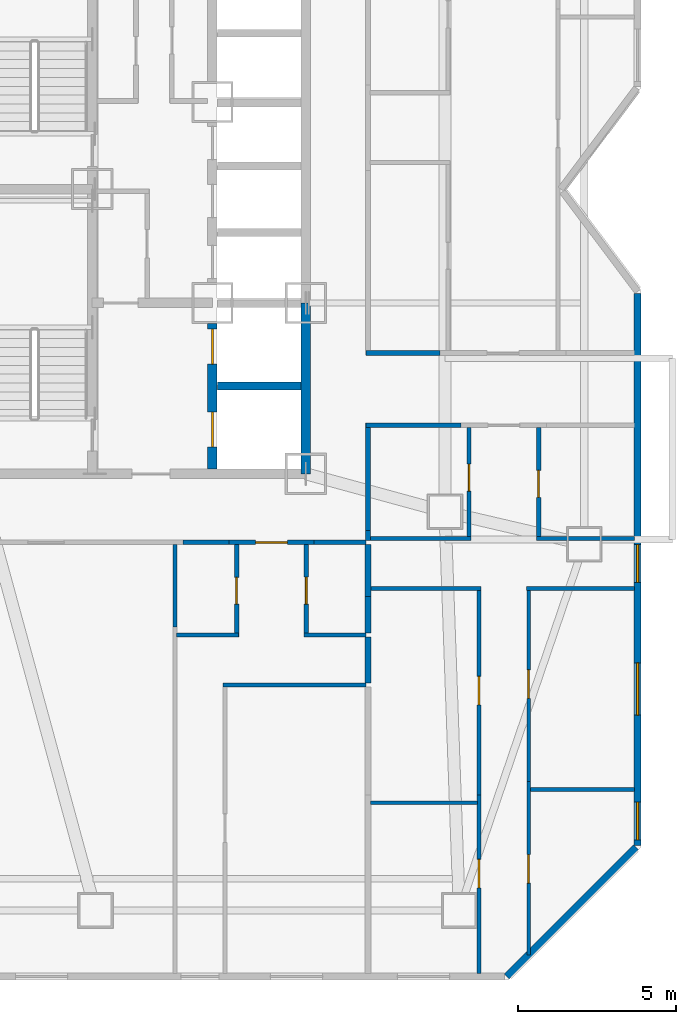
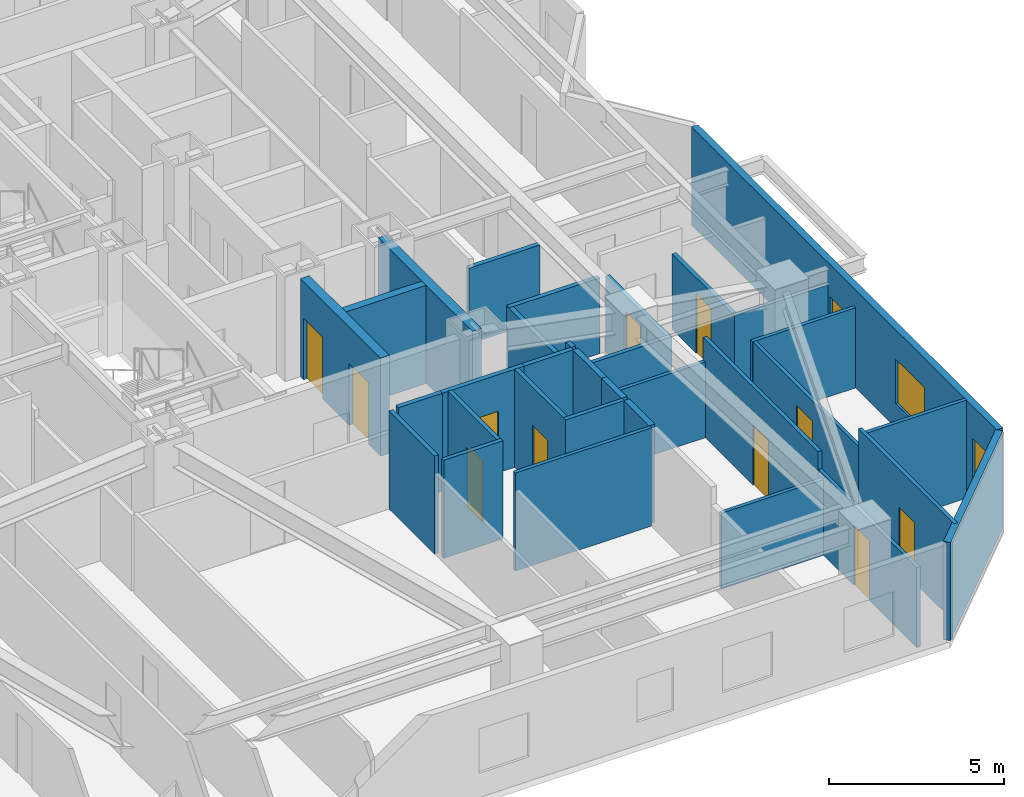
# One storey, part 10 of 17: 33 walls, 11 doors, 3 windows, 14 openings.
"""IFC4 building model written with IfcOpenShell, lengths in metres."""

from ifc_helpers import new_model, si_unit, direction, frame, frame_2d, origin, place, context, subcontext, project, spatial, rectangle, extrude, material, layer, layer_set, type_object, element, fill, save


model = new_model("IFC4")

# Units and contexts
model_context = context("Model", 3, precision=1e-05, world=origin(), true_north=direction((0.0, 1.0)))
body_context = subcontext(model_context, "Body", "Model", "MODEL_VIEW")
ifc_project = project(units=[si_unit("LENGTHUNIT", "METRE"), si_unit("AREAUNIT", "SQUARE_METRE"), si_unit("VOLUMEUNIT", "CUBIC_METRE"), si_unit("PLANEANGLEUNIT", "RADIAN"), si_unit("MASSUNIT", "GRAM", prefix="KILO")], contexts=[model_context])

# Site, building, storey
site_placement = place(None, origin())
site = spatial("IfcSite", under=ifc_project, at=site_placement, CompositionType="ELEMENT")
building_placement = place(site_placement, origin())
building = spatial("IfcBuilding", under=site, at=building_placement, Name="Khamvora Tower", CompositionType="ELEMENT")
storey_placement = place(building_placement, frame((0.0, 0.0, 73.449951171875)))
storey = spatial("IfcBuildingStorey", under=building, at=storey_placement, Name="L18", CompositionType="ELEMENT", Elevation=73.449951171875)

# Wall
ifc_material_1 = material(Name="Concrete C50/60", Category="concrete")
ifc_layer_1 = layer(ifc_material_1, 0.300048828125)
ifc_layer_set_1 = layer_set([ifc_layer_1], Name="Concrete C50/60")
wall_type_1 = type_object("IfcWallType", Name="WAL-CORE-300", PredefinedType="SHEAR", material=ifc_layer_set_1)
wall_1_placement = place(storey_placement, frame((39.39990234375, 19.0, 0.0), z_axis=(0.0, 0.0, 1.0), x_axis=(0.0, 1.0, 0.0)))
element("IfcWall", 1, at=wall_1_placement, inside=storey, type_object=wall_type_1, Name="L18 central core east south wall", PredefinedType="SHEAR", context=body_context, shape_type="SweptSolid", body=[
    extrude(rectangle(XDim=5.39990234375, YDim=0.300048828125, at=frame_2d((2.699951171875, 0.0))), origin(), (0.0, 0.0, 1.0), 3.429931640625),
])

# Wall, openings, doors
wall_2_placement = place(storey_placement, frame((36.449951171875, 19.154052734375, 0.0), z_axis=(0.0, 0.0, 1.0), x_axis=(0.0, 1.0, 0.0)))
wall_2 = element("IfcWall", 2, at=wall_2_placement, inside=storey, type_object=wall_type_1, Name="L18 central core lift bank south wall", PredefinedType="SHEAR", context=body_context, shape_type="SweptSolid", body=[
    extrude(rectangle(XDim=4.595947265625, YDim=0.300048828125, at=frame_2d((2.2978515625, 0.0))), origin(), (0.0, 0.0, 1.0), 3.429931640625),
])
opening_1_placement = place(wall_2_placement, frame((0.696044921875, 0.0, 0.0)))
opening_1 = element("IfcOpeningElement", 3, at=opening_1_placement, cuts=wall_2, Name="Opening LD-FFL", PredefinedType="OPENING", context=body_context, shape_type="SweptSolid", body=[
    extrude(rectangle(XDim=1.10009765625, YDim=2.14990234375, at=frame_2d((0.550048828125, 1.074951171875))), frame((0.0, 0.159912109375, 0.0), z_axis=(0.0, -1.0, 0.0), x_axis=(1.0, 0.0, 0.0)), (0.0, 0.0, 1.0), 0.320068359375),
])
opening_2_placement = place(wall_2_placement, frame((3.31591796875, 0.0, 0.0)))
opening_2 = element("IfcOpeningElement", 4, at=opening_2_placement, cuts=wall_2, Name="Opening LD-FFL", PredefinedType="OPENING", context=body_context, shape_type="SweptSolid", body=[
    extrude(rectangle(XDim=1.10009765625, YDim=2.14990234375, at=frame_2d((0.550048828125, 1.074951171875))), frame((0.0, 0.159912109375, 0.0), z_axis=(0.0, -1.0, 0.0), x_axis=(1.0, 0.0, 0.0)), (0.0, 0.0, 1.0), 0.320068359375),
])
ifc_material_2 = material(Name="Powder-Coated Steel and Hardwood Leaf", Category="steel")
door_type_1 = type_object("IfcDoorType", Name="DOR-LIFT-1100", OperationType="SLIDING_TO_LEFT", PredefinedType="DOOR", material=ifc_material_2)
door_1_placement = place(opening_1_placement, origin())
door_1 = element("IfcDoor", 5, at=door_1_placement, inside=storey, type_object=door_type_1, Name="L18 lift landing sliding door FFL-01", OperationType="SLIDING_TO_LEFT", OverallHeight=2.14990234375, OverallWidth=1.10009765625, PredefinedType="DOOR", context=body_context, shape_type="SweptSolid", body=[
    extrude(rectangle(XDim=1.10009765625, YDim=2.14990234375, at=frame_2d((0.550048828125, 1.074951171875))), frame((0.0, 0.02490234375, 0.0), z_axis=(0.0, -1.0, 0.0), x_axis=(1.0, 0.0, 0.0)), (0.0, 0.0, 1.0), 0.050048828125),
])
fill(opening_1, door_1)
door_2_placement = place(opening_2_placement, origin())
door_2 = element("IfcDoor", 6, at=door_2_placement, inside=storey, type_object=door_type_1, Name="L18 lift landing sliding door FFL-02", OperationType="SLIDING_TO_LEFT", OverallHeight=2.14990234375, OverallWidth=1.10009765625, PredefinedType="DOOR", context=body_context, shape_type="SweptSolid", body=[
    extrude(rectangle(XDim=1.10009765625, YDim=2.14990234375, at=frame_2d((0.550048828125, 1.074951171875))), frame((0.0, 0.02490234375, 0.0), z_axis=(0.0, -1.0, 0.0), x_axis=(1.0, 0.0, 0.0)), (0.0, 0.0, 1.0), 0.050048828125),
])
fill(opening_2, door_2)

# Wall, opening, door
ifc_material_3 = material(Name="Fire-Rated Drywall and Steel Stud", Category="steel")
ifc_layer_2 = layer(ifc_material_3, 0.14990234375)
ifc_layer_set_2 = layer_set([ifc_layer_2], Name="Fire-Rated Drywall and Steel Stud")
wall_type_2 = type_object("IfcWallType", Name="WAL-CORR-150", PredefinedType="STANDARD", material=ifc_layer_set_2)
wall_3_placement = place(storey_placement, frame((39.6640625, 16.8349609375, 0.0), z_axis=(0.0, 0.0, 1.0), x_axis=(-1.0, 0.0, 0.0)))
wall_3 = element("IfcWall", 7, at=wall_3_placement, inside=storey, type_object=wall_type_2, Name="L18 interior partition wall 029", PredefinedType="STANDARD", context=body_context, shape_type="SweptSolid", body=[
    extrude(rectangle(XDim=2.697998046875, YDim=0.14990234375, at=frame_2d((1.34912109375, 0.0))), origin(), (0.0, 0.0, 1.0), 3.429931640625),
])
opening_3_placement = place(wall_3_placement, frame((0.84912109375, 0.0, 0.0)))
opening_3 = element("IfcOpeningElement", 8, at=opening_3_placement, cuts=wall_3, Name="Opening D-U1", PredefinedType="OPENING", context=body_context, shape_type="SweptSolid", body=[
    extrude(rectangle(XDim=1.0, YDim=2.14990234375, at=frame_2d((0.5, 1.074951171875))), frame((0.0, 0.0849609375, 0.0), z_axis=(0.0, -1.0, 0.0), x_axis=(1.0, 0.0, 0.0)), (0.0, 0.0, 1.0), 0.169921875),
])
door_type_2 = type_object("IfcDoorType", Name="DOR-UNIT-1000", OperationType="NOTDEFINED", PredefinedType="DOOR", material=ifc_material_2)
door_3_placement = place(opening_3_placement, origin())
door_3 = element("IfcDoor", 9, at=door_3_placement, inside=storey, type_object=door_type_2, Name="L18 interior door COR-18SAH", OperationType="SINGLE_SWING_LEFT", OverallHeight=2.14990234375, OverallWidth=1.0, PredefinedType="DOOR", context=body_context, shape_type="SweptSolid", body=[
    extrude(rectangle(XDim=1.0, YDim=2.14990234375, at=frame_2d((0.5, 1.074951171875))), frame((0.0, 0.02490234375, 0.0), z_axis=(0.0, -1.0, 0.0), x_axis=(1.0, 0.0, 0.0)), (0.0, 0.0, 1.0), 0.050048828125),
])
fill(opening_3, door_3)

# Walls
wall_4_placement = place(storey_placement, frame((36.966064453125, 16.8349609375, 0.0), z_axis=(0.0, 0.0, 1.0), x_axis=(-1.0, 0.0, 0.0)))
element("IfcWall", 10, at=wall_4_placement, inside=storey, type_object=wall_type_2, Name="L18 interior partition wall 030", PredefinedType="STANDARD", context=body_context, shape_type="SweptSolid", body=[
    extrude(rectangle(XDim=1.4521484375, YDim=0.14990234375, at=frame_2d((0.72607421875, 0.0))), origin(), (0.0, 0.0, 1.0), 3.429931640625),
])
wall_5_placement = place(storey_placement, frame((41.300048828125, 16.8349609375, 0.0), z_axis=(0.0, 0.0, 1.0), x_axis=(-1.0, 0.0, 0.0)))
element("IfcWall", 11, at=wall_5_placement, inside=storey, type_object=wall_type_2, Name="L18 interior partition wall 031", PredefinedType="STANDARD", context=body_context, shape_type="SweptSolid", body=[
    extrude(rectangle(XDim=1.635986328125, YDim=0.14990234375, at=frame_2d((0.81787109375, 0.0))), origin(), (0.0, 0.0, 1.0), 3.429931640625),
])
wall_6_placement = place(storey_placement, frame((41.364990234375, 17.2041015625, 0.0), z_axis=(0.0, 0.0, 1.0), x_axis=(0.0, -1.0, 0.0)))
element("IfcWall", 12, at=wall_6_placement, inside=storey, type_object=wall_type_2, Name="L18 interior partition wall 036", PredefinedType="STANDARD", context=body_context, shape_type="SweptSolid", body=[
    extrude(rectangle(XDim=0.30419921875, YDim=0.14990234375, at=frame_2d((0.152099609375, 0.0))), origin(), (0.0, 0.0, 1.0), 3.429931640625),
])
wall_7_placement = place(storey_placement, frame((44.31103515625, 20.534912109375, 0.0), z_axis=(0.0, 0.0, 1.0), x_axis=(-1.0, 0.0, 0.0)))
element("IfcWall", 13, at=wall_7_placement, inside=storey, type_object=wall_type_2, Name="L18 interior partition wall 037", PredefinedType="STANDARD", context=body_context, shape_type="SweptSolid", body=[
    extrude(rectangle(XDim=3.010986328125, YDim=0.14990234375, at=frame_2d((1.50537109375, 0.0))), origin(), (0.0, 0.0, 1.0), 2.64697265625),
])
wall_8_placement = place(storey_placement, frame((41.364990234375, 20.60009765625, 0.0), z_axis=(0.0, 0.0, 1.0), x_axis=(0.0, -1.0, 0.0)))
element("IfcWall", 14, at=wall_8_placement, inside=storey, type_object=wall_type_2, Name="L18 interior partition wall 038", PredefinedType="STANDARD", context=body_context, shape_type="SweptSolid", body=[
    extrude(rectangle(XDim=3.39599609375, YDim=0.14990234375, at=frame_2d((1.697998046875, 0.0))), origin(), (0.0, 0.0, 1.0), 2.64697265625),
])
wall_9_placement = place(storey_placement, frame((41.300048828125, 22.81494140625, 0.0), z_axis=(0.0, 0.0, 1.0), x_axis=(1.0, 0.0, 0.0)))
element("IfcWall", 15, at=wall_9_placement, inside=storey, type_object=wall_type_2, Name="L18 interior partition wall 045", PredefinedType="STANDARD", context=body_context, shape_type="SweptSolid", body=[
    extrude(rectangle(XDim=2.345947265625, YDim=0.14990234375, at=frame_2d((1.1728515625, 0.0))), origin(), (0.0, 0.0, 1.0), 2.64697265625),
])
ifc_material_4 = material(Name="Acoustic Double-Stud Fire Wall", Category="gypsum")
ifc_layer_3 = layer(ifc_material_4, 0.179931640625)
ifc_layer_set_3 = layer_set([ifc_layer_3], Name="Acoustic Double-Stud Fire Wall")
wall_type_3 = type_object("IfcWallType", Name="WAL-CORR-180", PredefinedType="STANDARD", material=ifc_layer_set_3)
wall_10_placement = place(storey_placement, frame((41.364990234375, 13.841064453125, 0.0), z_axis=(0.0, 0.0, 1.0), x_axis=(0.0, -1.0, 0.0)))
element("IfcWall", 16, at=wall_10_placement, inside=storey, type_object=wall_type_3, Name="L18 interior partition wall 133", PredefinedType="STANDARD", context=body_context, shape_type="SweptSolid", body=[
    extrude(rectangle(XDim=1.449951171875, YDim=0.179931640625, at=frame_2d((0.72509765625, 0.0))), origin(), (0.0, 0.0, 1.0), 3.429931640625),
])
wall_11_placement = place(storey_placement, frame((41.364990234375, 16.77001953125, 0.0), z_axis=(0.0, 0.0, 1.0), x_axis=(0.0, -1.0, 0.0)))
element("IfcWall", 17, at=wall_11_placement, inside=storey, type_object=wall_type_3, Name="L18 interior partition wall 134", PredefinedType="STANDARD", context=body_context, shape_type="SweptSolid", body=[
    extrude(rectangle(XDim=1.64404296875, YDim=0.179931640625, at=frame_2d((0.822021484375, 0.0))), origin(), (0.0, 0.0, 1.0), 3.429931640625),
])
wall_12_placement = place(storey_placement, frame((41.364990234375, 15.1259765625, 0.0), z_axis=(0.0, 0.0, 1.0), x_axis=(0.0, -1.0, 0.0)))
element("IfcWall", 18, at=wall_12_placement, inside=storey, type_object=wall_type_3, Name="L18 interior partition wall 135", PredefinedType="STANDARD", context=body_context, shape_type="SweptSolid", body=[
    extrude(rectangle(XDim=1.155029296875, YDim=0.179931640625, at=frame_2d((0.57763671875, 0.0))), origin(), (0.0, 0.0, 1.0), 3.429931640625),
])

# Wall, openings, windows
ifc_material_5 = material(Name="Precast concrete C40/50", Category="concrete")
ifc_layer_4 = layer(ifc_material_5, 0.219970703125)
ifc_layer_set_4 = layer_set([ifc_layer_4], Name="Precast concrete C40/50")
wall_type_4 = type_object("IfcWallType", Name="WAL-EXT-220", PredefinedType="STANDARD", material=ifc_layer_set_4)
wall_13_placement = place(storey_placement, frame((49.889892578125, 24.70703125, 0.0), z_axis=(0.0, 0.0, 1.0), x_axis=(0.0, -1.0, 0.0)))
wall_13 = element("IfcWall", 19, at=wall_13_placement, inside=storey, type_object=wall_type_4, Name="L18 exterior facade wall 12.1", PredefinedType="STANDARD", context=body_context, shape_type="SweptSolid", body=[
    extrude(rectangle(XDim=17.4609375, YDim=0.219970703125, at=frame_2d((8.73046875, 0.0))), origin(), (0.0, 0.0, 1.0), 3.429931640625),
])
opening_4_placement = place(wall_13_placement, frame((7.94189453125, 0.0, 0.800048828125)))
opening_4 = element("IfcOpeningElement", 20, at=opening_4_placement, cuts=wall_13, Name="Opening WN-03", PredefinedType="OPENING", context=body_context, shape_type="SweptSolid", body=[
    extrude(rectangle(XDim=1.199951171875, YDim=1.5, at=frame_2d((0.60009765625, 0.75))), frame((0.0, 0.119873046875, 0.0), z_axis=(0.0, -1.0, 0.0), x_axis=(1.0, 0.0, 0.0)), (0.0, 0.0, 1.0), 0.239990234375),
])
opening_5_placement = place(wall_13_placement, frame((16.0810546875, 0.0, 0.800048828125)))
opening_5 = element("IfcOpeningElement", 21, at=opening_5_placement, cuts=wall_13, Name="Opening WN-03", PredefinedType="OPENING", context=body_context, shape_type="SweptSolid", body=[
    extrude(rectangle(XDim=1.199951171875, YDim=1.5, at=frame_2d((0.60009765625, 0.75))), frame((0.0, 0.119873046875, 0.0), z_axis=(0.0, -1.0, 0.0), x_axis=(1.0, 0.0, 0.0)), (0.0, 0.0, 1.0), 0.239990234375),
])
opening_6_placement = place(wall_13_placement, frame((11.68408203125, 0.0, 0.85009765625)))
opening_6 = element("IfcOpeningElement", 22, at=opening_6_placement, cuts=wall_13, Name="Opening WN-06", PredefinedType="OPENING", context=body_context, shape_type="SweptSolid", body=[
    extrude(rectangle(XDim=1.64990234375, YDim=1.550048828125, at=frame_2d((0.824951171875, 0.77490234375))), frame((0.0, 0.119873046875, 0.0), z_axis=(0.0, -1.0, 0.0), x_axis=(1.0, 0.0, 0.0)), (0.0, 0.0, 1.0), 0.239990234375),
])
ifc_material_6 = material(Name="Low-E Laminated Double Glazing", Category="glass")
window_type_1 = type_object("IfcWindowType", Name="WIN-VIS-1200x1500", PartitioningType="SINGLE_PANEL", PredefinedType="WINDOW", material=ifc_material_6)
window_1_placement = place(opening_4_placement, origin())
window_1 = element("IfcWindow", 23, at=window_1_placement, inside=storey, type_object=window_type_1, Name="L18 vision window 12.1.01", OverallHeight=1.5, OverallWidth=1.199951171875, PartitioningType="SINGLE_PANEL", PredefinedType="WINDOW", context=body_context, shape_type="SweptSolid", body=[
    extrude(rectangle(XDim=1.199951171875, YDim=1.5, at=frame_2d((0.60009765625, 0.75))), frame((0.0, 0.030029296875, 0.0), z_axis=(0.0, -1.0, 0.0), x_axis=(1.0, 0.0, 0.0)), (0.0, 0.0, 1.0), 0.06005859375),
])
fill(opening_4, window_1)
window_2_placement = place(opening_5_placement, origin())
window_2 = element("IfcWindow", 24, at=window_2_placement, inside=storey, type_object=window_type_1, Name="L18 vision window 12.1.02", OverallHeight=1.5, OverallWidth=1.199951171875, PartitioningType="SINGLE_PANEL", PredefinedType="WINDOW", context=body_context, shape_type="SweptSolid", body=[
    extrude(rectangle(XDim=1.199951171875, YDim=1.5, at=frame_2d((0.60009765625, 0.75))), frame((0.0, 0.030029296875, 0.0), z_axis=(0.0, -1.0, 0.0), x_axis=(1.0, 0.0, 0.0)), (0.0, 0.0, 1.0), 0.06005859375),
])
fill(opening_5, window_2)
window_type_2 = type_object("IfcWindowType", Name="WIN-VIS-1650x1550", PartitioningType="SINGLE_PANEL", PredefinedType="WINDOW", material=ifc_material_6)
window_3_placement = place(opening_6_placement, origin())
window_3 = element("IfcWindow", 25, at=window_3_placement, inside=storey, type_object=window_type_2, Name="L18 vision window 12.1.03", OverallHeight=1.550048828125, OverallWidth=1.64990234375, PartitioningType="SINGLE_PANEL", PredefinedType="WINDOW", context=body_context, shape_type="SweptSolid", body=[
    extrude(rectangle(XDim=1.64990234375, YDim=1.550048828125, at=frame_2d((0.824951171875, 0.77490234375))), frame((0.0, 0.030029296875, 0.0), z_axis=(0.0, -1.0, 0.0), x_axis=(1.0, 0.0, 0.0)), (0.0, 0.0, 1.0), 0.06005859375),
])
fill(opening_6, window_3)

# Walls
wall_14_placement = place(storey_placement, frame((49.840087890625, 7.196044921875, 0.0), z_axis=(0.0, 0.0, 1.0), x_axis=(-0.707127905562, -0.70708565618, 0.0)))
element("IfcWall", 26, at=wall_14_placement, inside=storey, type_object=wall_type_4, Name="L18 exterior facade wall 13.1", PredefinedType="STANDARD", context=body_context, shape_type="SweptSolid", body=[
    extrude(rectangle(XDim=5.778564453125, YDim=0.219970703125, at=frame_2d((2.88916015625, 0.0))), origin(), (0.0, 0.0, 1.0), 3.429931640625),
])
ifc_material_7 = material(Name="Gypsum Plasterboard Partition", Category="gypsum")
ifc_layer_5 = layer(ifc_material_7, 0.1201171875)
ifc_layer_set_5 = layer_set([ifc_layer_5], Name="Gypsum Plasterboard Partition")
wall_type_5 = type_object("IfcWallType", Name="WAL-PART-120", PredefinedType="PARTITIONING", material=ifc_layer_set_5)
wall_15_placement = place(storey_placement, frame((41.300048828125, 12.325927734375, 0.0), z_axis=(0.0, 0.0, 1.0), x_axis=(-1.0, 0.0, 0.0)))
element("IfcWall", 27, at=wall_15_placement, inside=storey, type_object=wall_type_5, Name="L18 interior partition wall 131", PredefinedType="PARTITIONING", context=body_context, shape_type="SweptSolid", body=[
    extrude(rectangle(XDim=4.52001953125, YDim=0.1201171875, at=frame_2d((2.260009765625, 0.0))), origin(), (0.0, 0.0, 1.0), 3.429931640625),
])

# Wall, opening, door
wall_16_placement = place(storey_placement, frame((44.875, 3.2119140625, 0.0), z_axis=(0.0, 0.0, 1.0), x_axis=(0.0, 1.0, 0.0)))
wall_16 = element("IfcWall", 28, at=wall_16_placement, inside=storey, type_object=wall_type_5, Name="L18 interior partition wall 153", PredefinedType="PARTITIONING", context=body_context, shape_type="SweptSolid", body=[
    extrude(rectangle(XDim=5.64306640625, YDim=0.1201171875, at=frame_2d((2.821533203125, 0.0))), origin(), (0.0, 0.0, 1.0), 2.802978515625),
])
opening_7_placement = place(wall_16_placement, frame((2.701904296875, 0.0, 0.0)))
opening_7 = element("IfcOpeningElement", 29, at=opening_7_placement, cuts=wall_16, Name="Opening D-RM1", PredefinedType="OPENING", context=body_context, shape_type="SweptSolid", body=[
    extrude(rectangle(XDim=0.89990234375, YDim=2.10009765625, at=frame_2d((0.449951171875, 1.050048828125))), frame((0.0, 0.070068359375, 0.0), z_axis=(0.0, -1.0, 0.0), x_axis=(1.0, 0.0, 0.0)), (0.0, 0.0, 1.0), 0.14013671875),
])
door_type_3 = type_object("IfcDoorType", Name="DOR-ROOM-900", OperationType="NOTDEFINED", PredefinedType="DOOR", material=ifc_material_2)
door_4_placement = place(opening_7_placement, origin())
door_4 = element("IfcDoor", 30, at=door_4_placement, inside=storey, type_object=door_type_3, Name="L18 interior door 18EAH-18EAL", OperationType="SINGLE_SWING_RIGHT", OverallHeight=2.10009765625, OverallWidth=0.89990234375, PredefinedType="DOOR", context=body_context, shape_type="SweptSolid", body=[
    extrude(rectangle(XDim=0.89990234375, YDim=2.10009765625, at=frame_2d((0.449951171875, 1.050048828125))), frame((0.0, 0.02490234375, 0.0), z_axis=(0.0, -1.0, 0.0), x_axis=(1.0, 0.0, 0.0)), (0.0, 0.0, 1.0), 0.050048828125),
])
fill(opening_7, door_4)

wall_17_placement = place(storey_placement, frame((44.875, 8.85498046875, 0.0), z_axis=(0.0, 0.0, 1.0), x_axis=(0.0, 1.0, 0.0)))
wall_17 = element("IfcWall", 31, at=wall_17_placement, inside=storey, type_object=wall_type_5, Name="L18 interior partition wall 154", PredefinedType="PARTITIONING", context=body_context, shape_type="SweptSolid", body=[
    extrude(rectangle(XDim=6.5849609375, YDim=0.1201171875, at=frame_2d((3.29248046875, 0.0))), origin(), (0.0, 0.0, 1.0), 3.429931640625),
])
opening_8_placement = place(wall_17_placement, frame((2.842041015625, 0.0, 0.0)))
opening_8 = element("IfcOpeningElement", 32, at=opening_8_placement, cuts=wall_17, Name="Opening D-RM1", PredefinedType="OPENING", context=body_context, shape_type="SweptSolid", body=[
    extrude(rectangle(XDim=0.89990234375, YDim=2.10009765625, at=frame_2d((0.449951171875, 1.050048828125))), frame((0.0, 0.070068359375, 0.0), z_axis=(0.0, -1.0, 0.0), x_axis=(1.0, 0.0, 0.0)), (0.0, 0.0, 1.0), 0.14013671875),
])
door_5_placement = place(opening_8_placement, origin())
door_5 = element("IfcDoor", 33, at=door_5_placement, inside=storey, type_object=door_type_3, Name="L18 interior door 18EAH-18EAR2", OperationType="SINGLE_SWING_LEFT", OverallHeight=2.10009765625, OverallWidth=0.89990234375, PredefinedType="DOOR", context=body_context, shape_type="SweptSolid", body=[
    extrude(rectangle(XDim=0.89990234375, YDim=2.10009765625, at=frame_2d((0.449951171875, 1.050048828125))), frame((0.0, 0.02490234375, 0.0), z_axis=(0.0, -1.0, 0.0), x_axis=(1.0, 0.0, 0.0)), (0.0, 0.0, 1.0), 0.050048828125),
])
fill(opening_8, door_5)

# Wall
wall_18_placement = place(storey_placement, frame((44.93994140625, 15.375, 0.0), z_axis=(0.0, 0.0, 1.0), x_axis=(-1.0, 0.0, 0.0)))
element("IfcWall", 34, at=wall_18_placement, inside=storey, type_object=wall_type_5, Name="L18 interior partition wall 155", PredefinedType="PARTITIONING", context=body_context, shape_type="SweptSolid", body=[
    extrude(rectangle(XDim=3.492919921875, YDim=0.1201171875, at=frame_2d((1.74658203125, 0.0))), origin(), (0.0, 0.0, 1.0), 2.64697265625),
])

# Wall, opening, door
wall_19_placement = place(storey_placement, frame((46.445068359375, 9.27001953125, 0.0), z_axis=(0.0, 0.0, 1.0), x_axis=(0.0, -1.0, 0.0)))
wall_19 = element("IfcWall", 35, at=wall_19_placement, inside=storey, type_object=wall_type_5, Name="L18 interior partition wall 156", PredefinedType="PARTITIONING", context=body_context, shape_type="SweptSolid", body=[
    extrude(rectangle(XDim=5.47802734375, YDim=0.1201171875, at=frame_2d((2.739013671875, 0.0))), origin(), (0.0, 0.0, 1.0), 3.429931640625),
])
opening_9_placement = place(wall_19_placement, frame((2.31005859375, 0.0, 0.0)))
opening_9 = element("IfcOpeningElement", 36, at=opening_9_placement, cuts=wall_19, Name="Opening D-RM1", PredefinedType="OPENING", context=body_context, shape_type="SweptSolid", body=[
    extrude(rectangle(XDim=0.89990234375, YDim=2.10009765625, at=frame_2d((0.449951171875, 1.050048828125))), frame((0.0, 0.070068359375, 0.0), z_axis=(0.0, -1.0, 0.0), x_axis=(1.0, 0.0, 0.0)), (0.0, 0.0, 1.0), 0.14013671875),
])
door_6_placement = place(opening_9_placement, origin())
door_6 = element("IfcDoor", 37, at=door_6_placement, inside=storey, type_object=door_type_3, Name="L18 interior door 18EAH-18EAR3", OperationType="SINGLE_SWING_RIGHT", OverallHeight=2.10009765625, OverallWidth=0.89990234375, PredefinedType="DOOR", context=body_context, shape_type="SweptSolid", body=[
    extrude(rectangle(XDim=0.89990234375, YDim=2.10009765625, at=frame_2d((0.449951171875, 1.050048828125))), frame((0.0, 0.02490234375, 0.0), z_axis=(0.0, -1.0, 0.0), x_axis=(1.0, 0.0, 0.0)), (0.0, 0.0, 1.0), 0.050048828125),
])
fill(opening_9, door_6)

# Wall
wall_20_placement = place(storey_placement, frame((49.7880859375, 15.375, 0.0), z_axis=(0.0, 0.0, 1.0), x_axis=(-1.0, 0.0, 0.0)))
element("IfcWall", 38, at=wall_20_placement, inside=storey, type_object=wall_type_5, Name="L18 interior partition wall 157", PredefinedType="PARTITIONING", context=body_context, shape_type="SweptSolid", body=[
    extrude(rectangle(XDim=3.408203125, YDim=0.1201171875, at=frame_2d((1.7041015625, 0.0))), origin(), (0.0, 0.0, 1.0), 2.802978515625),
])

# Wall, opening, door
wall_21_placement = place(storey_placement, frame((46.445068359375, 15.43994140625, 0.0), z_axis=(0.0, 0.0, 1.0), x_axis=(0.0, -1.0, 0.0)))
wall_21 = element("IfcWall", 39, at=wall_21_placement, inside=storey, type_object=wall_type_5, Name="L18 interior partition wall 158", PredefinedType="PARTITIONING", context=body_context, shape_type="SweptSolid", body=[
    extrude(rectangle(XDim=6.169921875, YDim=0.1201171875, at=frame_2d((3.0849609375, 0.0))), origin(), (0.0, 0.0, 1.0), 2.802978515625),
])
opening_10_placement = place(wall_21_placement, frame((2.635009765625, 0.0, 0.0)))
opening_10 = element("IfcOpeningElement", 40, at=opening_10_placement, cuts=wall_21, Name="Opening D-RM1", PredefinedType="OPENING", context=body_context, shape_type="SweptSolid", body=[
    extrude(rectangle(XDim=0.89990234375, YDim=2.10009765625, at=frame_2d((0.449951171875, 1.050048828125))), frame((0.0, 0.070068359375, 0.0), z_axis=(0.0, -1.0, 0.0), x_axis=(1.0, 0.0, 0.0)), (0.0, 0.0, 1.0), 0.14013671875),
])
door_7_placement = place(opening_10_placement, origin())
door_7 = element("IfcDoor", 41, at=door_7_placement, inside=storey, type_object=door_type_3, Name="L18 interior door 18EAH-18EAR4", OperationType="SINGLE_SWING_LEFT", OverallHeight=2.10009765625, OverallWidth=0.89990234375, PredefinedType="DOOR", context=body_context, shape_type="SweptSolid", body=[
    extrude(rectangle(XDim=0.89990234375, YDim=2.10009765625, at=frame_2d((0.449951171875, 1.050048828125))), frame((0.0, 0.02490234375, 0.0), z_axis=(0.0, -1.0, 0.0), x_axis=(1.0, 0.0, 0.0)), (0.0, 0.0, 1.0), 0.050048828125),
])
fill(opening_10, door_7)

# Walls
wall_22_placement = place(storey_placement, frame((41.447021484375, 8.60498046875, 0.0), z_axis=(0.0, 0.0, 1.0), x_axis=(1.0, 0.0, 0.0)))
element("IfcWall", 42, at=wall_22_placement, inside=storey, type_object=wall_type_5, Name="L18 interior partition wall 159", PredefinedType="PARTITIONING", context=body_context, shape_type="SweptSolid", body=[
    extrude(rectangle(XDim=3.3740234375, YDim=0.1201171875, at=frame_2d((1.68701171875, 0.0))), origin(), (0.0, 0.0, 1.0), 2.64697265625),
])
wall_23_placement = place(storey_placement, frame((46.4990234375, 9.02099609375, 0.0), z_axis=(0.0, 0.0, 1.0), x_axis=(1.0, 0.0, 0.0)))
element("IfcWall", 43, at=wall_23_placement, inside=storey, type_object=wall_type_5, Name="L18 interior partition wall 160", PredefinedType="PARTITIONING", context=body_context, shape_type="SweptSolid", body=[
    extrude(rectangle(XDim=3.2890625, YDim=0.1201171875, at=frame_2d((1.64453125, 0.0))), origin(), (0.0, 0.0, 1.0), 3.429931640625),
])
ifc_material_8 = material(Name="Concrete C40/50", Category="concrete")
ifc_layer_6 = layer(ifc_material_8, 0.25)
ifc_layer_set_6 = layer_set([ifc_layer_6], Name="Concrete C40/50")
wall_type_6 = type_object("IfcWallType", Name="WAL-PODS-250", PredefinedType="SHEAR", material=ifc_layer_set_6)
wall_24_placement = place(storey_placement, frame((36.60400390625, 21.77490234375, 0.0), z_axis=(0.0, 0.0, 1.0), x_axis=(1.0, 0.0, 0.0)))
element("IfcWall", 44, at=wall_24_placement, inside=storey, type_object=wall_type_6, Name="L18 lift shaft divider wall FFL-01", PredefinedType="SHEAR", context=body_context, shape_type="SweptSolid", body=[
    extrude(rectangle(XDim=2.64208984375, YDim=0.25, at=frame_2d((1.321044921875, 0.0))), origin(), (0.0, 0.0, 1.0), 3.429931640625),
])
ifc_material_9 = material(Name="Moisture-Resistant Plasterboard Partition", Category="gypsum")
ifc_layer_7 = layer(ifc_material_9, 0.135009765625)
ifc_layer_set_7 = layer_set([ifc_layer_7], Name="Moisture-Resistant Plasterboard Partition")
wall_type_7 = type_object("IfcWallType", Name="WAL-WET-135", PredefinedType="PARTITIONING", material=ifc_layer_set_7)
wall_25_placement = place(storey_placement, frame((35.264892578125, 16.77001953125, 0.0), z_axis=(0.0, 0.0, 1.0), x_axis=(0.0, -1.0, 0.0)))
element("IfcWall", 45, at=wall_25_placement, inside=storey, type_object=wall_type_7, Name="L18 interior partition wall 049", PredefinedType="PARTITIONING", context=body_context, shape_type="SweptSolid", body=[
    extrude(rectangle(XDim=2.614990234375, YDim=0.135009765625, at=frame_2d((1.3076171875, 0.0))), origin(), (0.0, 0.0, 1.0), 3.429931640625),
])
wall_26_placement = place(storey_placement, frame((35.319091796875, 13.906005859375, 0.0), z_axis=(0.0, 0.0, 1.0), x_axis=(1.0, 0.0, 0.0)))
element("IfcWall", 46, at=wall_26_placement, inside=storey, type_object=wall_type_7, Name="L18 interior partition wall 127", PredefinedType="PARTITIONING", context=body_context, shape_type="SweptSolid", body=[
    extrude(rectangle(XDim=1.9609375, YDim=0.135009765625, at=frame_2d((0.98046875, 0.0))), origin(), (0.0, 0.0, 1.0), 3.429931640625),
])

# Wall, opening, door
wall_27_placement = place(storey_placement, frame((37.215087890625, 13.841064453125, 0.0), z_axis=(0.0, 0.0, 1.0), x_axis=(0.0, 1.0, 0.0)))
wall_27 = element("IfcWall", 47, at=wall_27_placement, inside=storey, type_object=wall_type_7, Name="L18 interior partition wall 128", PredefinedType="PARTITIONING", context=body_context, shape_type="SweptSolid", body=[
    extrude(rectangle(XDim=2.928955078125, YDim=0.135009765625, at=frame_2d((1.46435546875, 0.0))), origin(), (0.0, 0.0, 1.0), 3.429931640625),
])
opening_11_placement = place(wall_27_placement, frame((1.0390625, 0.0, 0.0)))
opening_11 = element("IfcOpeningElement", 48, at=opening_11_placement, cuts=wall_27, Name="Opening D-WC1", PredefinedType="OPENING", context=body_context, shape_type="SweptSolid", body=[
    extrude(rectangle(XDim=0.85009765625, YDim=2.10009765625, at=frame_2d((0.425048828125, 1.050048828125))), frame((0.0, 0.077392578125, 0.0), z_axis=(0.0, -1.0, 0.0), x_axis=(1.0, 0.0, 0.0)), (0.0, 0.0, 1.0), 0.155029296875),
])
door_type_4 = type_object("IfcDoorType", Name="DOR-WET-850", OperationType="NOTDEFINED", PredefinedType="DOOR", material=ifc_material_2)
door_8_placement = place(opening_11_placement, origin())
door_8 = element("IfcDoor", 49, at=door_8_placement, inside=storey, type_object=door_type_4, Name="L18 interior door 18SAH-18SAB", OperationType="SINGLE_SWING_LEFT", OverallHeight=2.10009765625, OverallWidth=0.85009765625, PredefinedType="DOOR", context=body_context, shape_type="SweptSolid", body=[
    extrude(rectangle(XDim=0.85009765625, YDim=2.10009765625, at=frame_2d((0.425048828125, 1.050048828125))), frame((0.0, 0.02490234375, 0.0), z_axis=(0.0, -1.0, 0.0), x_axis=(1.0, 0.0, 0.0)), (0.0, 0.0, 1.0), 0.050048828125),
])
fill(opening_11, door_8)

wall_28_placement = place(storey_placement, frame((39.4150390625, 16.77001953125, 0.0), z_axis=(0.0, 0.0, 1.0), x_axis=(0.0, -1.0, 0.0)))
wall_28 = element("IfcWall", 50, at=wall_28_placement, inside=storey, type_object=wall_type_7, Name="L18 interior partition wall 129", PredefinedType="PARTITIONING", context=body_context, shape_type="SweptSolid", body=[
    extrude(rectangle(XDim=2.928955078125, YDim=0.135009765625, at=frame_2d((1.46435546875, 0.0))), origin(), (0.0, 0.0, 1.0), 3.429931640625),
])
opening_12_placement = place(wall_28_placement, frame((1.0390625, 0.0, 0.0)))
opening_12 = element("IfcOpeningElement", 51, at=opening_12_placement, cuts=wall_28, Name="Opening D-RM2", PredefinedType="OPENING", context=body_context, shape_type="SweptSolid", body=[
    extrude(rectangle(XDim=0.85009765625, YDim=2.10009765625, at=frame_2d((0.425048828125, 1.050048828125))), frame((0.0, 0.077392578125, 0.0), z_axis=(0.0, -1.0, 0.0), x_axis=(1.0, 0.0, 0.0)), (0.0, 0.0, 1.0), 0.155029296875),
])
door_type_5 = type_object("IfcDoorType", Name="DOR-ROOM-850", OperationType="NOTDEFINED", PredefinedType="DOOR", material=ifc_material_2)
door_9_placement = place(opening_12_placement, origin())
door_9 = element("IfcDoor", 52, at=door_9_placement, inside=storey, type_object=door_type_5, Name="L18 interior door 18SAH-18SAK", OperationType="SINGLE_SWING_RIGHT", OverallHeight=2.10009765625, OverallWidth=0.85009765625, PredefinedType="DOOR", context=body_context, shape_type="SweptSolid", body=[
    extrude(rectangle(XDim=0.85009765625, YDim=2.10009765625, at=frame_2d((0.425048828125, 1.050048828125))), frame((0.0, 0.02490234375, 0.0), z_axis=(0.0, -1.0, 0.0), x_axis=(1.0, 0.0, 0.0)), (0.0, 0.0, 1.0), 0.050048828125),
])
fill(opening_12, door_9)

# Walls
wall_29_placement = place(storey_placement, frame((39.35009765625, 13.906005859375, 0.0), z_axis=(0.0, 0.0, 1.0), x_axis=(1.0, 0.0, 0.0)))
element("IfcWall", 53, at=wall_29_placement, inside=storey, type_object=wall_type_7, Name="L18 interior partition wall 130", PredefinedType="PARTITIONING", context=body_context, shape_type="SweptSolid", body=[
    extrude(rectangle(XDim=1.949951171875, YDim=0.135009765625, at=frame_2d((0.97509765625, 0.0))), origin(), (0.0, 0.0, 1.0), 3.429931640625),
])
wall_30_placement = place(storey_placement, frame((41.431884765625, 16.955078125, 0.0), z_axis=(0.0, 0.0, 1.0), x_axis=(1.0, 0.0, 0.0)))
element("IfcWall", 54, at=wall_30_placement, inside=storey, type_object=wall_type_7, Name="L18 interior partition wall 149", PredefinedType="PARTITIONING", context=body_context, shape_type="SweptSolid", body=[
    extrude(rectangle(XDim=3.193115234375, YDim=0.135009765625, at=frame_2d((1.5966796875, 0.0))), origin(), (0.0, 0.0, 1.0), 2.64697265625),
])

# Wall, opening, door
wall_31_placement = place(storey_placement, frame((44.56005859375, 16.889892578125, 0.0), z_axis=(0.0, 0.0, 1.0), x_axis=(0.0, 1.0, 0.0)))
wall_31 = element("IfcWall", 55, at=wall_31_placement, inside=storey, type_object=wall_type_7, Name="L18 interior partition wall 150", PredefinedType="PARTITIONING", context=body_context, shape_type="SweptSolid", body=[
    extrude(rectangle(XDim=3.580078125, YDim=0.135009765625, at=frame_2d((1.7900390625, 0.0))), origin(), (0.0, 0.0, 1.0), 2.64697265625),
])
opening_13_placement = place(wall_31_placement, frame((1.56494140625, 0.0, 0.0)))
opening_13 = element("IfcOpeningElement", 56, at=opening_13_placement, cuts=wall_31, Name="Opening D-WC1", PredefinedType="OPENING", context=body_context, shape_type="SweptSolid", body=[
    extrude(rectangle(XDim=0.85009765625, YDim=2.10009765625, at=frame_2d((0.425048828125, 1.050048828125))), frame((0.0, 0.077392578125, 0.0), z_axis=(0.0, -1.0, 0.0), x_axis=(1.0, 0.0, 0.0)), (0.0, 0.0, 1.0), 0.155029296875),
])
door_10_placement = place(opening_13_placement, origin())
door_10 = element("IfcDoor", 57, at=door_10_placement, inside=storey, type_object=door_type_4, Name="L18 interior door 18EAH-18EAB", OperationType="SINGLE_SWING_RIGHT", OverallHeight=2.10009765625, OverallWidth=0.85009765625, PredefinedType="DOOR", context=body_context, shape_type="SweptSolid", body=[
    extrude(rectangle(XDim=0.85009765625, YDim=2.10009765625, at=frame_2d((0.425048828125, 1.050048828125))), frame((0.0, 0.02490234375, 0.0), z_axis=(0.0, -1.0, 0.0), x_axis=(1.0, 0.0, 0.0)), (0.0, 0.0, 1.0), 0.050048828125),
])
fill(opening_13, door_10)

wall_32_placement = place(storey_placement, frame((46.760009765625, 20.469970703125, 0.0), z_axis=(0.0, 0.0, 1.0), x_axis=(0.0, -1.0, 0.0)))
wall_32 = element("IfcWall", 58, at=wall_32_placement, inside=storey, type_object=wall_type_7, Name="L18 interior partition wall 151", PredefinedType="PARTITIONING", context=body_context, shape_type="SweptSolid", body=[
    extrude(rectangle(XDim=3.580078125, YDim=0.135009765625, at=frame_2d((1.7900390625, 0.0))), origin(), (0.0, 0.0, 1.0), 2.64697265625),
])
opening_14_placement = place(wall_32_placement, frame((1.364990234375, 0.0, 0.0)))
opening_14 = element("IfcOpeningElement", 59, at=opening_14_placement, cuts=wall_32, Name="Opening D-RM2", PredefinedType="OPENING", context=body_context, shape_type="SweptSolid", body=[
    extrude(rectangle(XDim=0.85009765625, YDim=2.10009765625, at=frame_2d((0.425048828125, 1.050048828125))), frame((0.0, 0.077392578125, 0.0), z_axis=(0.0, -1.0, 0.0), x_axis=(1.0, 0.0, 0.0)), (0.0, 0.0, 1.0), 0.155029296875),
])
door_11_placement = place(opening_14_placement, origin())
door_11 = element("IfcDoor", 60, at=door_11_placement, inside=storey, type_object=door_type_5, Name="L18 interior door 18EAH-18EAK", OperationType="SINGLE_SWING_LEFT", OverallHeight=2.10009765625, OverallWidth=0.85009765625, PredefinedType="DOOR", context=body_context, shape_type="SweptSolid", body=[
    extrude(rectangle(XDim=0.85009765625, YDim=2.10009765625, at=frame_2d((0.425048828125, 1.050048828125))), frame((0.0, 0.02490234375, 0.0), z_axis=(0.0, -1.0, 0.0), x_axis=(1.0, 0.0, 0.0)), (0.0, 0.0, 1.0), 0.050048828125),
])
fill(opening_14, door_11)

# Wall
wall_33_placement = place(storey_placement, frame((46.695068359375, 16.955078125, 0.0), z_axis=(0.0, 0.0, 1.0), x_axis=(1.0, 0.0, 0.0)))
element("IfcWall", 61, at=wall_33_placement, inside=storey, type_object=wall_type_7, Name="L18 interior partition wall 152", PredefinedType="PARTITIONING", context=body_context, shape_type="SweptSolid", body=[
    extrude(rectangle(XDim=3.093017578125, YDim=0.135009765625, at=frame_2d((1.54638671875, 0.0))), origin(), (0.0, 0.0, 1.0), 2.64697265625),
])

save(model, "model.ifc")
